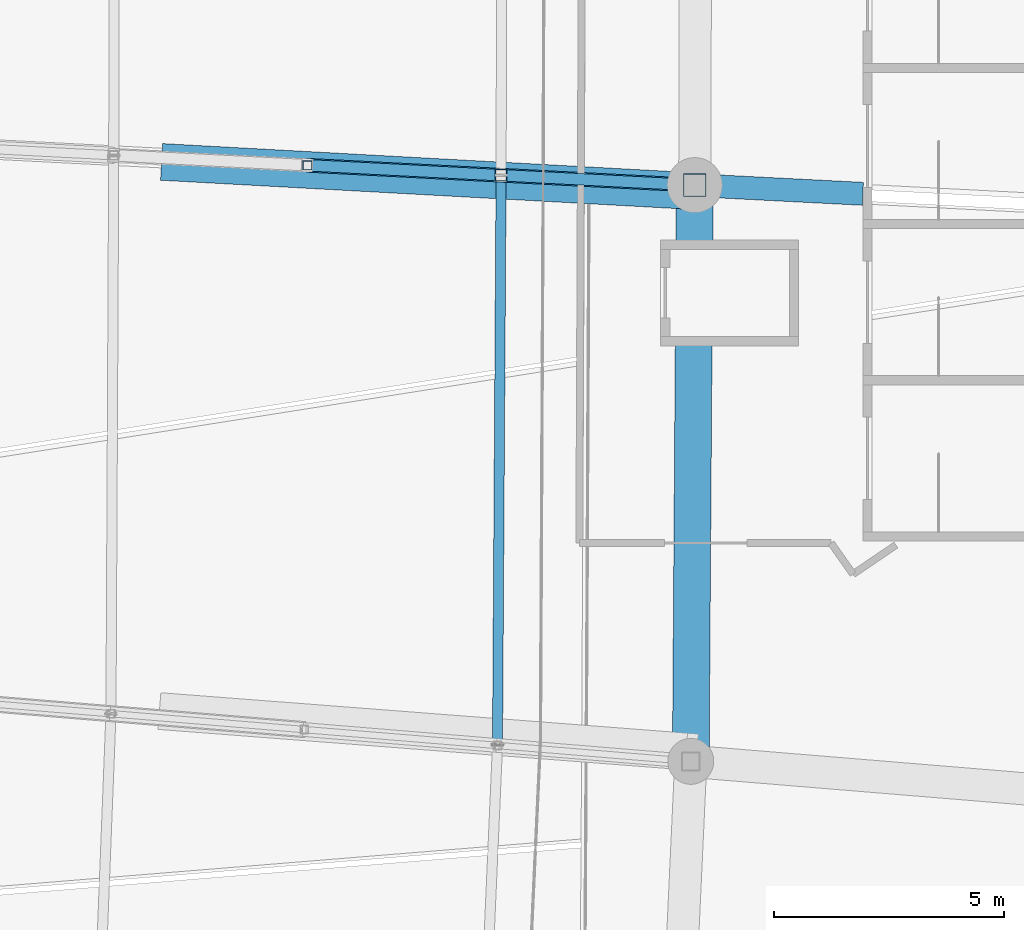
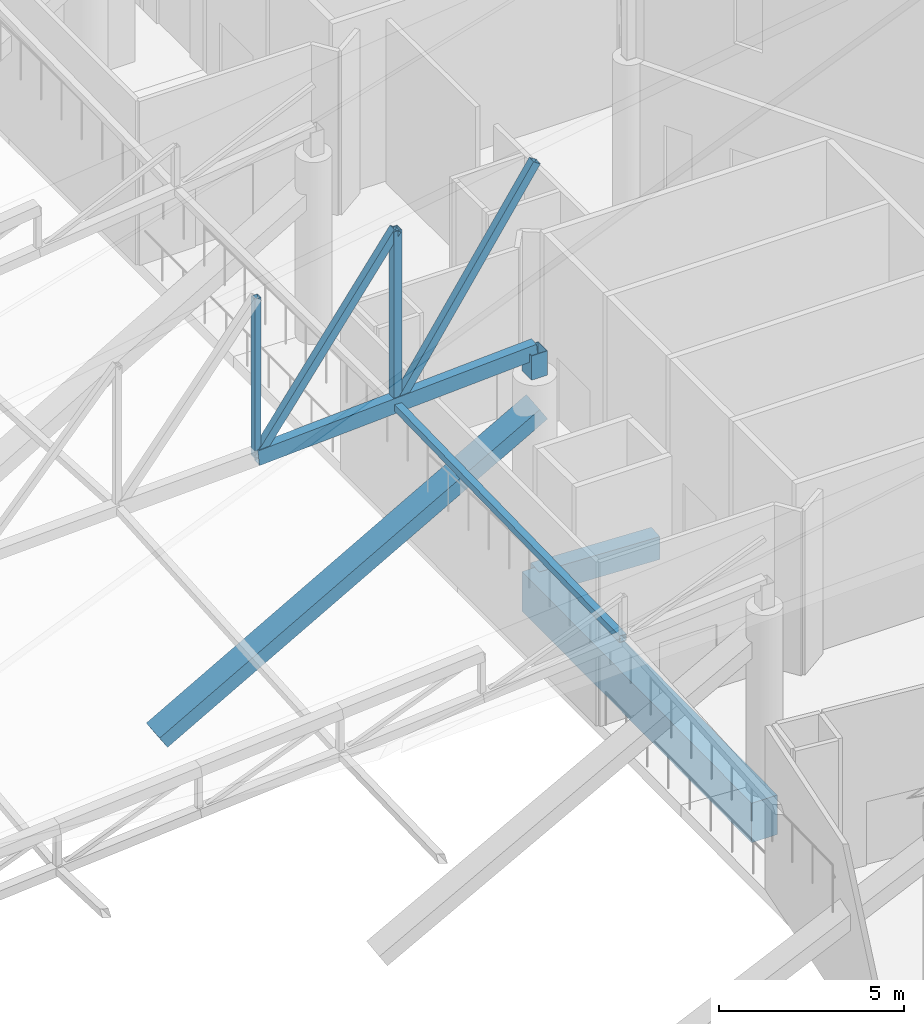
# One storey, part 101 of 344: 7 members, 3 beams.
"""IFC4 building model written with IfcOpenShell, lengths in metres."""

import ifcopenshell
import ifcopenshell.guid

model = None  # the IFC model being written
_history = None  # IfcOwnerHistory: only IFC2X3 demands one
_inside = {}  # id of a spatial element -> (the spatial element, [elements in it])
_under = {}  # id of a project, library or spatial element -> (it, [spatial elements below it])
_declared = {}  # id of a project -> (the project, [libraries it declares])
_typed = {}  # id of a type object -> (the type object, [elements of that type])
_made_of = {}  # id of a material, layer set ... -> (it, [elements and type objects made of it])


def new_model(schema):
    """Start an empty IFC model of exactly this schema.

    Asked for "IFC4X3", IfcOpenShell would pick the latest addendum, in which some entities
    have other attributes; the version numbers below select the first issue.
    IFC2X3 requires an IfcOwnerHistory on every rooted entity: one is made here for all.
    """
    global model, _history
    if schema == "IFC4X3":
        model = ifcopenshell.file(schema_version=(4, 3, 0, 0))
    else:
        model = ifcopenshell.file(schema=schema)
    _inside.clear()
    _under.clear()
    _declared.clear()
    _typed.clear()
    _made_of.clear()
    _history = None
    if model.schema == "IFC2X3":
        org = make("IfcOrganization", Name="unknown")
        user = make(
            "IfcPersonAndOrganization",
            ThePerson=make("IfcPerson", FamilyName="unknown"),
            TheOrganization=org,
        )
        app = make(
            "IfcApplication",
            ApplicationDeveloper=org,
            Version="unknown",
            ApplicationFullName="unknown",
            ApplicationIdentifier="unknown",
        )
        _history = make(
            "IfcOwnerHistory",
            OwningUser=user,
            OwningApplication=app,
            ChangeAction="ADDED",
            CreationDate=0,
        )
    return model


def make(cls, **values):
    """One entity of the class cls with the attributes given. An attribute that is None is left unset."""
    return model.create_entity(
        cls, **{name: value for name, value in values.items() if value is not None}
    )


def rooted(cls, **values):
    """An entity with a GlobalId (a new one), such as an element, a storey or a relation."""
    return make(cls, GlobalId=ifcopenshell.guid.new(), OwnerHistory=_history, **values)


def si_unit(unit_type, name, prefix=None):
    """IfcSIUnit, for example si_unit("LENGTHUNIT", "METRE", prefix="MILLI")."""
    return make("IfcSIUnit", UnitType=unit_type, Prefix=prefix, Name=name)


def assignment(units):
    """IfcUnitAssignment: the units of a project."""
    return None if units is None else make("IfcUnitAssignment", Units=units)


def point(xyz):
    """IfcCartesianPoint."""
    return None if xyz is None else make("IfcCartesianPoint", Coordinates=xyz)


def direction(xyz):
    """IfcDirection."""
    return None if xyz is None else make("IfcDirection", DirectionRatios=xyz)


def frame(location, z_axis=None, x_axis=None):
    """IfcAxis2Placement3D, a coordinate frame: its origin and axes. An axis left out is left unset."""
    return make(
        "IfcAxis2Placement3D",
        Location=point(location),
        Axis=direction(z_axis),
        RefDirection=direction(x_axis),
    )


def frame_2d(location, x_axis=None):
    """IfcAxis2Placement2D, a coordinate frame in the plane: its origin and x axis."""
    return make(
        "IfcAxis2Placement2D", Location=point(location), RefDirection=direction(x_axis)
    )


def origin():
    """The frame at (0, 0, 0) with its axes left unset."""
    return frame((0.0, 0.0, 0.0))


def origin_2d():
    """The frame at (0, 0) in the plane with its x axis left unset."""
    return frame_2d((0.0, 0.0))


def place(relative_to, where):
    """IfcLocalPlacement: puts the frame where relative to a parent placement (None: the world)."""
    return make(
        "IfcLocalPlacement", PlacementRelTo=relative_to, RelativePlacement=where
    )


def context(
    kind, dimensions, precision=None, world=None, true_north=None, identifier=None
):
    """IfcGeometricRepresentationContext, for example the 3D "Model" context."""
    return make(
        "IfcGeometricRepresentationContext",
        ContextIdentifier=identifier,
        ContextType=kind,
        CoordinateSpaceDimension=dimensions,
        Precision=precision,
        WorldCoordinateSystem=world,
        TrueNorth=true_north,
    )


def subcontext(parent, identifier, kind, view, scale=None):
    """IfcGeometricRepresentationSubContext, for example "Body" below "Model"."""
    return make(
        "IfcGeometricRepresentationSubContext",
        ContextIdentifier=identifier,
        ContextType=kind,
        ParentContext=parent,
        TargetScale=scale,
        TargetView=view,
    )


def project(units=None, contexts=None):
    """IfcProject with its units and contexts."""
    return rooted(
        "IfcProject",
        Name="project",
        RepresentationContexts=contexts,
        UnitsInContext=assignment(units),
    )


def spatial(cls, under=None, at=None, **own):
    """A site, building, storey or space (cls), placed at a placement, below another one or the project."""
    s = rooted(cls, ObjectPlacement=at, **own)
    if under is not None:
        _under.setdefault(under.id(), (under, []))[1].append(s)
    return s


def profile(cls, at=None, kind="AREA", **sizes):
    """A parametric profile (cls). Its sizes go by their IFC names, for example OverallWidth=200.0."""
    return make(cls, ProfileType=kind, Position=at, **sizes)


def rectangle(**sizes):
    """IfcRectangleProfileDef."""
    return profile("IfcRectangleProfileDef", **sizes)


def hollow_rectangle(**sizes):
    """IfcRectangleHollowProfileDef."""
    return profile("IfcRectangleHollowProfileDef", **sizes)


def extrude(swept, where, along, depth):
    """IfcExtrudedAreaSolid: the profile swept, set in the frame where, extruded along a direction by depth."""
    return make(
        "IfcExtrudedAreaSolid",
        SweptArea=swept,
        Position=where,
        ExtrudedDirection=direction(along),
        Depth=depth,
    )


def shape(context_of_items, identifier, shape_type, items):
    """IfcShapeRepresentation: the items that make up one representation, for example the "Body"."""
    return make(
        "IfcShapeRepresentation",
        ContextOfItems=context_of_items,
        RepresentationIdentifier=identifier,
        RepresentationType=shape_type,
        Items=items,
    )


def material(Name=None, Category=None):
    """IfcMaterial."""
    return make("IfcMaterial", Name=Name, Category=Category)


def material_profile(
    of_material, cross_section, Name=None, Category=None, Priority=None
):
    """IfcMaterialProfile: a cross section and its material."""
    return make(
        "IfcMaterialProfile",
        Name=Name,
        Material=of_material,
        Profile=cross_section,
        Priority=Priority,
        Category=Category,
    )


def profile_set(profiles, Name=None, composite=None):
    """IfcMaterialProfileSet."""
    return make(
        "IfcMaterialProfileSet",
        Name=Name,
        MaterialProfiles=profiles,
        CompositeProfile=composite,
    )


def made_of(thing, what):
    """Note that an element or type object is made of a material, layer set ...; save() writes the relation."""
    if what is not None:
        _made_of.setdefault(what.id(), (what, []))[1].append(thing)
    return thing


def type_object(cls, material=None, **own):
    """A type object (cls), such as IfcWallType, which elements share."""
    return made_of(rooted(cls, **own), material)


def element(
    cls,
    number,
    at=None,
    inside=None,
    cuts=None,
    type_object=None,
    material=None,
    context=None,
    identifier="Body",
    shape_type=None,
    held_by="IfcProductDefinitionShape",
    body=None,
    shapes=None,
    **own,
):
    """One element of the class cls, such as IfcWall. Its Tag is "e" and its number.

    at: its placement. inside: the storey or other place that contains it. cuts: it is an
    opening in that element (IfcRelVoidsElement). A single representation is given by context,
    identifier, shape_type and body (its items); several are given by shapes. held_by: the class
    of the entity that holds the representations. save() writes the other relations.
    """
    e = rooted(cls, Tag="e%d" % number, ObjectPlacement=at, **own)
    if body is not None:
        shapes = [shape(context, identifier, shape_type, body)]
    if shapes is not None:
        e.Representation = make(held_by, Representations=shapes)
    if inside is not None:
        _inside.setdefault(inside.id(), (inside, []))[1].append(e)
    if cuts is not None:
        rooted(
            "IfcRelVoidsElement", RelatingBuildingElement=cuts, RelatedOpeningElement=e
        )
    if type_object is not None:
        _typed.setdefault(type_object.id(), (type_object, []))[1].append(e)
    return made_of(e, material)


def aggregate(whole, parts):
    """IfcRelAggregates: a whole, such as a stair, and the parts it consists of."""
    return rooted("IfcRelAggregates", RelatingObject=whole, RelatedObjects=parts)


def save(model, path):
    """Write the relations noted so far, then the file.

    IfcRelAggregates (storeys below a building ...), IfcRelContainedInSpatialStructure (elements
    in a storey), IfcRelDefinesByType, IfcRelAssociatesMaterial and IfcRelDeclares: one each for
    every whole, place, type object, material and project.
    """
    for whole, parts in _under.values():
        aggregate(whole, parts)
    for where, things in _inside.values():
        rooted(
            "IfcRelContainedInSpatialStructure",
            RelatedElements=things,
            RelatingStructure=where,
        )
    for kind, things in _typed.values():
        rooted("IfcRelDefinesByType", RelatedObjects=things, RelatingType=kind)
    for what, things in _made_of.values():
        rooted("IfcRelAssociatesMaterial", RelatedObjects=things, RelatingMaterial=what)
    for by, libraries in _declared.values():
        rooted("IfcRelDeclares", RelatingContext=by, RelatedDefinitions=libraries)
    model.write(path)


model = new_model("IFC4")

# Units and contexts
model_context = context("Model", 3, precision=1e-05, world=origin(), true_north=direction((0.0, 1.0)))
body_context = subcontext(model_context, "Body", "Model", "MODEL_VIEW")
ifc_project = project(units=[si_unit("LENGTHUNIT", "METRE"), si_unit("AREAUNIT", "SQUARE_METRE"), si_unit("VOLUMEUNIT", "CUBIC_METRE"), si_unit("PLANEANGLEUNIT", "RADIAN"), si_unit("MASSUNIT", "GRAM", prefix="KILO")], contexts=[model_context])

# Site, building, storey
site_placement = place(None, origin())
site = spatial("IfcSite", under=ifc_project, at=site_placement, CompositionType="ELEMENT")
building_placement = place(site_placement, origin())
building = spatial("IfcBuilding", under=site, at=building_placement, Name="Meseta Stadium", CompositionType="ELEMENT")
storey_placement = place(building_placement, frame((0.0, 0.0, 24.0)))
storey = spatial("IfcBuildingStorey", under=building, at=storey_placement, Name="L04", CompositionType="ELEMENT", Elevation=24.0)

# Beams
ifc_material_1 = material(Name="Concrete C40/50", Category="concrete")
ifc_material_profile_1 = material_profile(ifc_material_1, rectangle(XDim=0.5, YDim=0.75, at=origin_2d()), Name="RC 500x750")
ifc_profile_set_1 = profile_set([ifc_material_profile_1], Name="Concrete C40/50")
beam_type_1 = type_object("IfcBeamType", Name="RC beam 500x750", PredefinedType="BEAM", material=ifc_profile_set_1)
beam_1_placement = place(storey_placement, frame((84.940673828125, -30.404052734375, -0.77490234375), z_axis=(0.998683115753, -0.051303355736, 0.0), x_axis=(0.051303355736, 0.998683115753, 0.0)))
element("IfcBeam", 1, at=beam_1_placement, inside=storey, type_object=beam_type_1, Name="L04 radial beam frame 2 line P to R", PredefinedType="BEAM", context=body_context, shape_type="SweptSolid", body=[
    extrude(rectangle(XDim=0.5, YDim=0.75, at=origin_2d()), origin(), (0.0, 0.0, 1.0), 3.664306640625),
])
ifc_material_2 = material(Name="Concrete C40/50", Category="concrete")
ifc_material_profile_2 = material_profile(ifc_material_2, rectangle(XDim=0.800048828125, YDim=1.300048828125, at=origin_2d()), Name="RC 800x1300")
ifc_profile_set_2 = profile_set([ifc_material_profile_2], Name="Concrete C40/50")
beam_type_2 = type_object("IfcBeamType", Name="RC beam 800x1300", PredefinedType="BEAM", material=ifc_profile_set_2)
beam_2_placement = place(storey_placement, frame((84.85400390625, -42.948486328125, -1.050048828125), z_axis=(0.006908869398, 0.999976133477, 0.0), x_axis=(-0.999976133477, 0.006908869398, 0.0)))
element("IfcBeam", 2, at=beam_2_placement, inside=storey, type_object=beam_type_2, Name="L04 ring beam frame 1 line P", PredefinedType="BEAM", context=body_context, shape_type="SweptSolid", body=[
    extrude(rectangle(XDim=0.800048828125, YDim=1.300048828125, at=origin_2d()), origin(), (0.0, 0.0, 1.0), 12.544677734375),
])
ifc_material_3 = material(Name="Concrete C40/50", Category="concrete")
ifc_material_profile_3 = material_profile(ifc_material_3, rectangle(XDim=0.800048828125, YDim=0.449951171875, at=origin_2d()), Name="RC 800x450")
ifc_profile_set_3 = profile_set([ifc_material_profile_3], Name="Concrete C40/50")
beam_type_3 = type_object("IfcBeamType", Name="RC raker upper rear 800x450", PredefinedType="USERDEFINED", material=ifc_profile_set_3)
beam_3_placement = place(storey_placement, frame((73.451416015625, -29.904052734375, -2.212158203125), z_axis=(0.846740729014, -0.046430045715, 0.529975837831), x_axis=(0.054751589678, 0.998500006724, 0.0)))
element("IfcBeam", 3, at=beam_3_placement, inside=storey, type_object=beam_type_3, Name="Raker upper rear frame 2 upper tier", ObjectType="RAKER", PredefinedType="USERDEFINED", context=body_context, shape_type="SweptSolid", body=[
    extrude(rectangle(XDim=0.800048828125, YDim=0.449951171875, at=origin_2d()), origin(), (0.0, 0.0, 1.0), 13.56103515625),
])

# Members
ifc_material_4 = material(Name="Steel S355", Category="steel")
ifc_material_profile_4 = material_profile(ifc_material_4, hollow_rectangle(XDim=0.300048828125, YDim=0.5, WallThickness=0.01611328125, at=origin_2d()), Name="RHS 500x300x16")
ifc_profile_set_4 = profile_set([ifc_material_profile_4], Name="Steel S355")
member_type_1 = type_object("IfcMemberType", Name="RHS 500x300x16 bottom chord", PredefinedType="CHORD", material=ifc_profile_set_4)
member_1_placement = place(storey_placement, frame((76.50732421875, -29.970458984375, 5.972900390625), z_axis=(0.993924208691, -0.051101797604, 0.097484735519), x_axis=(0.051346359277, 0.99868090569, 0.0)))
element("IfcMember", 4, at=member_1_placement, inside=storey, type_object=member_type_1, Name="ROOF TRUSS RT-02 bottom chord", PredefinedType="CHORD", context=body_context, shape_type="SweptSolid", body=[
    extrude(hollow_rectangle(XDim=0.300048828125, YDim=0.5, WallThickness=0.01611328125, at=origin_2d()), origin(), (0.0, 0.0, 1.0), 8.48486328125),
])
ifc_material_5 = material(Name="Steel S355", Category="steel")
ifc_material_profile_5 = material_profile(ifc_material_5, hollow_rectangle(XDim=0.199951171875, YDim=0.199951171875, WallThickness=0.008056640625, at=origin_2d()), Name="SHS 200x200x8")
ifc_profile_set_5 = profile_set([ifc_material_profile_5], Name="Steel S355")
member_type_2 = type_object("IfcMemberType", Name="SHS 200x200x8 post", PredefinedType="POST", material=ifc_profile_set_5)
member_2_placement = place(storey_placement, frame((76.50732421875, -29.970458984375, 5.972900390625), z_axis=(0.0, 0.0, 1.0), x_axis=(1.0, 0.0, 0.0)))
element("IfcMember", 5, at=member_2_placement, inside=storey, type_object=member_type_2, Name="ROOF TRUSS RT-02 post", PredefinedType="POST", context=body_context, shape_type="SweptSolid", body=[
    extrude(hollow_rectangle(XDim=0.199951171875, YDim=0.199951171875, WallThickness=0.008056640625, at=origin_2d()), origin(), (0.0, 0.0, 1.0), 5.237060546875),
])
ifc_material_6 = material(Name="Steel S355", Category="steel")
ifc_material_profile_6 = material_profile(ifc_material_6, hollow_rectangle(XDim=0.219970703125, YDim=0.219970703125, WallThickness=0.008056640625, at=origin_2d()), Name="SHS 220x220x8")
ifc_profile_set_6 = profile_set([ifc_material_profile_6], Name="Steel S355")
member_type_3 = type_object("IfcMemberType", Name="SHS 220x220x8 strut", PredefinedType="STRUT", material=ifc_profile_set_6)
member_3_placement = place(storey_placement, frame((80.64599609375, -42.6025390625, 6.16650390625), z_axis=(0.006292035434, 0.999902743573, 0.012446432594), x_axis=(-0.999980201882, 0.006292522852, 0.0)))
element("IfcMember", 6, at=member_3_placement, inside=storey, type_object=member_type_3, Name="ROOF TRUSS STRUT RT-01/02", PredefinedType="STRUT", context=body_context, shape_type="SweptSolid", body=[
    extrude(hollow_rectangle(XDim=0.219970703125, YDim=0.219970703125, WallThickness=0.008056640625, at=origin_2d()), origin(), (0.0, 0.0, 1.0), 12.41650390625),
])
ifc_material_7 = material(Name="Steel S355", Category="steel")
ifc_material_profile_7 = material_profile(ifc_material_7, hollow_rectangle(XDim=0.25, YDim=0.25, WallThickness=0.010009765625, at=origin_2d()), Name="SHS 250x250x10")
ifc_profile_set_7 = profile_set([ifc_material_profile_7], Name="Steel S355")
member_type_4 = type_object("IfcMemberType", Name="SHS 250x250x10 diagonal", PredefinedType="BRACE", material=ifc_profile_set_7)
member_4_placement = place(storey_placement, frame((76.50732421875, -29.970458984375, 5.972900390625), z_axis=(0.566302566159, -0.029115138881, 0.823683016851), x_axis=(0.051344876791, 0.998680981909, 0.0)))
element("IfcMember", 7, at=member_4_placement, inside=storey, type_object=member_type_4, Name="ROOF TRUSS RT-02 diagonal", PredefinedType="BRACE", context=body_context, shape_type="SweptSolid", body=[
    extrude(hollow_rectangle(XDim=0.25, YDim=0.25, WallThickness=0.010009765625, at=origin_2d()), origin(), (0.0, 0.0, 1.0), 7.4462890625),
])
member_5_placement = place(storey_placement, frame((80.72412109375, -30.187255859375, 6.321044921875), z_axis=(0.533495673335, -0.027430036357, 0.845357888493), x_axis=(0.051347841848, 0.998680829463, 0.0)))
element("IfcMember", 8, at=member_5_placement, inside=storey, type_object=member_type_4, Name="ROOF TRUSS RT-02 diagonal", PredefinedType="BRACE", context=body_context, shape_type="SweptSolid", body=[
    extrude(hollow_rectangle(XDim=0.25, YDim=0.25, WallThickness=0.010009765625, at=origin_2d()), origin(), (0.0, 0.0, 1.0), 7.903564453125),
])
ifc_material_8 = material(Name="Steel S355", Category="steel")
ifc_material_profile_8 = material_profile(ifc_material_8, hollow_rectangle(XDim=0.25, YDim=0.25, WallThickness=0.010009765625, at=origin_2d()), Name="SHS 250x250x10")
ifc_profile_set_8 = profile_set([ifc_material_profile_8], Name="Steel S355")
member_type_5 = type_object("IfcMemberType", Name="SHS 250x250x10 post", PredefinedType="POST", material=ifc_profile_set_8)
member_6_placement = place(storey_placement, frame((80.72412109375, -30.187255859375, 6.321044921875), z_axis=(0.0, 0.0, 1.0), x_axis=(1.0, 0.0, 0.0)))
element("IfcMember", 9, at=member_6_placement, inside=storey, type_object=member_type_5, Name="ROOF TRUSS RT-02 post", PredefinedType="POST", context=body_context, shape_type="SweptSolid", body=[
    extrude(hollow_rectangle(XDim=0.25, YDim=0.25, WallThickness=0.010009765625, at=origin_2d()), origin(), (0.0, 0.0, 1.0), 5.78515625),
])
ifc_material_9 = material(Name="Steel S355", Category="steel")
ifc_material_profile_9 = material_profile(ifc_material_9, hollow_rectangle(XDim=0.5, YDim=0.5, WallThickness=0.01611328125, at=origin_2d()), Name="SHS 500x500x16")
ifc_profile_set_9 = profile_set([ifc_material_profile_9], Name="Steel S355")
member_type_6 = type_object("IfcMemberType", Name="SHS 500x500x16 pedestal", PredefinedType="POST", material=ifc_profile_set_9)
member_7_placement = place(storey_placement, frame((84.940673828125, -30.404052734375, 6.0), z_axis=(0.0, 0.0, 1.0), x_axis=(1.0, 0.0, 0.0)))
element("IfcMember", 10, at=member_7_placement, inside=storey, type_object=member_type_6, Name="ROOF TRUSS RT-02 pedestal", PredefinedType="POST", context=body_context, shape_type="SweptSolid", body=[
    extrude(hollow_rectangle(XDim=0.5, YDim=0.5, WallThickness=0.01611328125, at=origin_2d()), origin(), (0.0, 0.0, 1.0), 0.800048828125),
])

save(model, "model.ifc")
